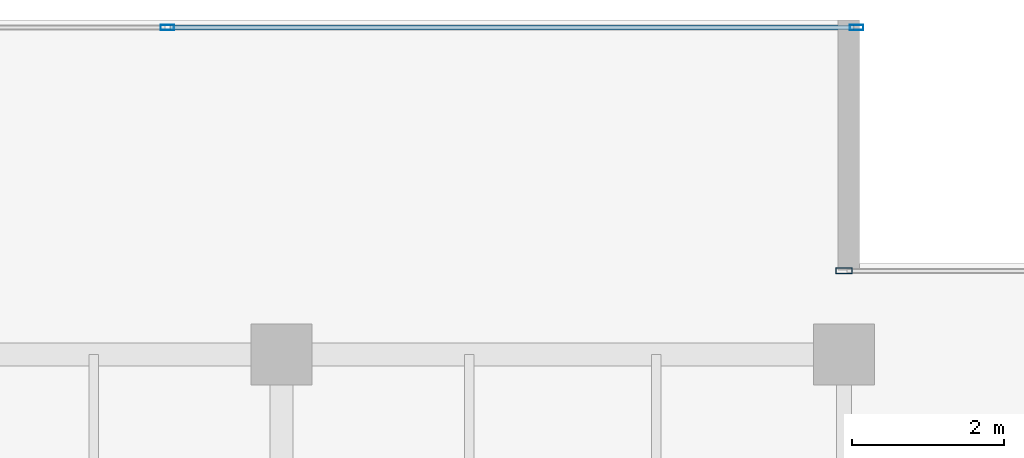
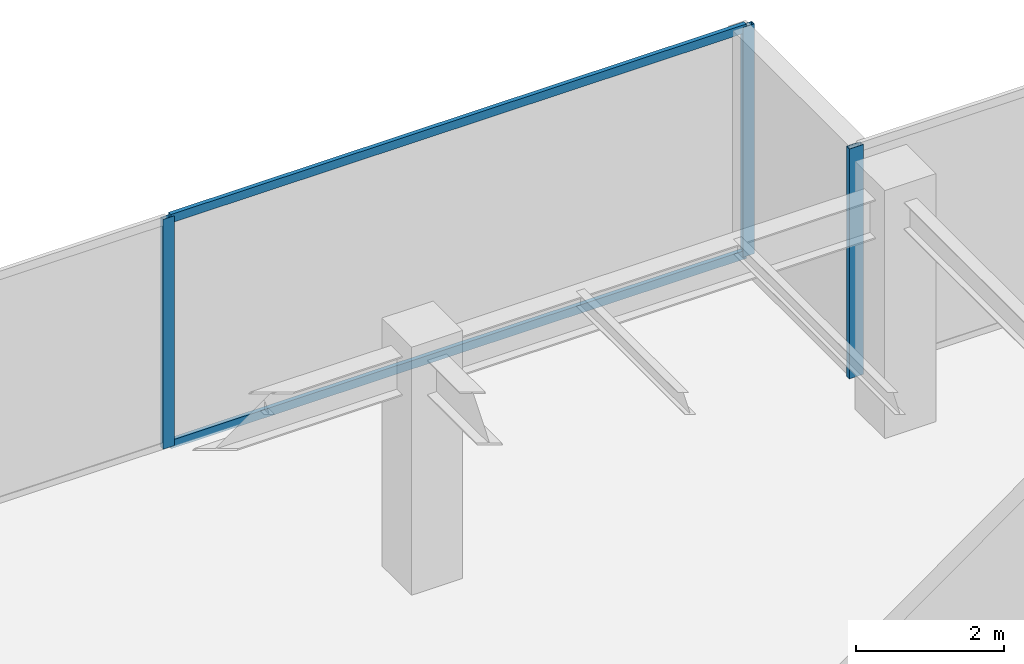
# One storey, part 21 of 33: 5 members, 2 elements without a shape of their own.
"""IFC4 building model written with IfcOpenShell, lengths in metres."""

from ifc_helpers import new_model, si_unit, direction, frame, origin, origin_2d, place, context, subcontext, project, spatial, hollow_rectangle, extrude, source, transform, mapped, material, layer, layer_set, material_profile, profile_set, type_object, type_shapes, element, aggregate, save


model = new_model("IFC4")

# Units and contexts
model_context = context("Model", 3, precision=1e-05, world=origin(), true_north=direction((0.0, 1.0)))
body_context = subcontext(model_context, "Body", "Model", "MODEL_VIEW")
ifc_project = project(units=[si_unit("LENGTHUNIT", "METRE"), si_unit("AREAUNIT", "SQUARE_METRE"), si_unit("VOLUMEUNIT", "CUBIC_METRE"), si_unit("PLANEANGLEUNIT", "RADIAN"), si_unit("MASSUNIT", "GRAM", prefix="KILO")], contexts=[model_context])

# Site, building, storey
site_placement = place(None, origin())
site = spatial("IfcSite", under=ifc_project, at=site_placement, CompositionType="ELEMENT")
building_placement = place(site_placement, origin())
building = spatial("IfcBuilding", under=site, at=building_placement, Name="Haelvirn Gate Laboratories", CompositionType="ELEMENT")
storey_placement = place(building_placement, frame((0.0, 0.0, 271.10009765625)))
storey = spatial("IfcBuildingStorey", under=building, at=storey_placement, Name="L65", CompositionType="ELEMENT", Elevation=271.10009765625)

# Curtain wall, members
ifc_material_1 = material(Name="Anodised bronze unitised aluminium & triple low-E glass", Category="aluminium")
ifc_layer_1 = layer(ifc_material_1, 0.176025390625, Name="CW-SYS-4")
ifc_layer_set_1 = layer_set([ifc_layer_1], Name="Anodised bronze unitised aluminium & triple low-E glass")
curtain_wall_type_1 = type_object("IfcCurtainWallType", Name="CW-SYS-4", PredefinedType="NOTDEFINED", material=ifc_layer_set_1)
curtain_wall_1_placement = place(storey_placement, origin())
curtain_wall_1 = element("IfcCurtainWall", 1, at=curtain_wall_1_placement, inside=storey, type_object=curtain_wall_type_1, Name="L65 Unitised Curtain Wall CW-L65-P0-E10-1", PredefinedType="NOTDEFINED")
ifc_material_2 = material(Name="Extruded aluminium 6063-T6 (anodised bronze)", Category="aluminium")
ifc_material_profile_1 = material_profile(ifc_material_2, hollow_rectangle(XDim=0.06494140625, YDim=0.139892578125, WallThickness=0.00390625, at=origin_2d()), Name="CWT-140x65x4")
ifc_profile_set_1 = profile_set([ifc_material_profile_1], Name="Extruded aluminium 6063-T6 (anodised bronze)")
member_type_1 = type_object("IfcMemberType", Name="CWT-T140", PredefinedType="USERDEFINED", material=ifc_profile_set_1)
shared_shape_1 = source(origin(), body_context, "Body", "SweptSolid", [
    extrude(hollow_rectangle(XDim=0.06494140625, YDim=0.139892578125, WallThickness=0.00390625, at=origin_2d()), origin(), (0.0, 0.0, 1.0), 8.9951171875),
])
type_shapes(member_type_1, [shared_shape_1])
member_1_placement = place(storey_placement, frame((58.534912109375, 45.89990234375, 0.032470703125), z_axis=(1.0, 0.0, 0.0), x_axis=(0.0, 1.0, 0.0)))
member_1 = element("IfcMember", 2, at=member_1_placement, type_object=member_type_1, Name="CW4 transom 2.1", ObjectType="TRANSOM", PredefinedType="USERDEFINED", context=body_context, shape_type="MappedRepresentation", body=[
    mapped(shared_shape_1, transform((0.0, 0.0, 0.0), scale=1.0)),
])
member_2_placement = place(storey_placement, frame((58.534912109375, 45.89990234375, 3.767333984375), z_axis=(1.0, 0.0, 0.0), x_axis=(0.0, 1.0, 0.0)))
member_2 = element("IfcMember", 3, at=member_2_placement, type_object=member_type_1, Name="CW4 transom 2.2", ObjectType="TRANSOM", PredefinedType="USERDEFINED", context=body_context, shape_type="MappedRepresentation", body=[
    mapped(shared_shape_1, transform((0.0, 0.0, 0.0), scale=1.0)),
])
ifc_material_profile_2 = material_profile(ifc_material_2, hollow_rectangle(XDim=0.070068359375, YDim=0.179931640625, WallThickness=0.0048828125, at=origin_2d()), Name="CWM-180x70x5")
ifc_profile_set_2 = profile_set([ifc_material_profile_2], Name="Extruded aluminium 6063-T6 (anodised bronze)")
member_type_2 = type_object("IfcMemberType", Name="CWM-T180", PredefinedType="MULLION", material=ifc_profile_set_2)
shared_shape_2 = source(origin(), body_context, "Body", "SweptSolid", [
    extrude(hollow_rectangle(XDim=0.070068359375, YDim=0.179931640625, WallThickness=0.0048828125, at=origin_2d()), origin(), (0.0, 0.0, 1.0), 3.7998046875),
])
type_shapes(member_type_2, [shared_shape_2])
member_3_placement = place(storey_placement, frame((58.5, 45.89990234375, 0.0), z_axis=(0.0, 0.0, 1.0), x_axis=(0.0, 1.0, 0.0)))
member_3 = element("IfcMember", 4, at=member_3_placement, type_object=member_type_2, Name="CW4 mullion 2", PredefinedType="MULLION", context=body_context, shape_type="MappedRepresentation", body=[
    mapped(shared_shape_2, transform((0.0, 0.0, 0.0), scale=1.0)),
])
member_4_placement = place(storey_placement, frame((67.56494140625, 45.89990234375, 0.0), z_axis=(0.0, 0.0, 1.0), x_axis=(0.0, 1.0, 0.0)))
member_4 = element("IfcMember", 5, at=member_4_placement, type_object=member_type_2, Name="CW4 mullion 3", PredefinedType="MULLION", context=body_context, shape_type="MappedRepresentation", body=[
    mapped(shared_shape_2, transform((0.0, 0.0, 0.0), scale=1.0)),
])
aggregate(curtain_wall_1, [member_3, member_4, member_1, member_2])

# Curtain wall, member
ifc_layer_2 = layer(ifc_material_1, 0.181884765625, Name="CW-SYS-5")
ifc_layer_set_2 = layer_set([ifc_layer_2], Name="Anodised bronze unitised aluminium & triple low-E glass")
curtain_wall_type_2 = type_object("IfcCurtainWallType", Name="CW-SYS-5", PredefinedType="NOTDEFINED", material=ifc_layer_set_2)
curtain_wall_2_placement = place(storey_placement, origin())
curtain_wall_2 = element("IfcCurtainWall", 6, at=curtain_wall_2_placement, inside=storey, type_object=curtain_wall_type_2, Name="L65 Unitised Curtain Wall CW-L65-P0-E08-1", PredefinedType="NOTDEFINED")
ifc_material_profile_3 = material_profile(ifc_material_2, hollow_rectangle(XDim=0.080078125, YDim=0.219970703125, WallThickness=0.006103515625, at=origin_2d()), Name="CWM-220x80x6")
ifc_profile_set_3 = profile_set([ifc_material_profile_3], Name="Extruded aluminium 6063-T6 (anodised bronze)")
member_type_3 = type_object("IfcMemberType", Name="CWM-T220", PredefinedType="MULLION", material=ifc_profile_set_3)
shared_shape_3 = source(origin(), body_context, "Body", "SweptSolid", [
    extrude(hollow_rectangle(XDim=0.080078125, YDim=0.219970703125, WallThickness=0.006103515625, at=origin_2d()), origin(), (0.0, 0.0, 1.0), 3.7998046875),
])
type_shapes(member_type_3, [shared_shape_3])
member_5_placement = place(storey_placement, frame((67.39990234375, 42.699951171875, 0.0), z_axis=(0.0, 0.0, 1.0), x_axis=(0.0, 1.0, 0.0)))
member_5 = element("IfcMember", 7, at=member_5_placement, type_object=member_type_3, Name="CW5 mullion 1", PredefinedType="MULLION", context=body_context, shape_type="MappedRepresentation", body=[
    mapped(shared_shape_3, transform((0.0, 0.0, 0.0), scale=1.0)),
])
aggregate(curtain_wall_2, [member_5])

save(model, "model.ifc")
